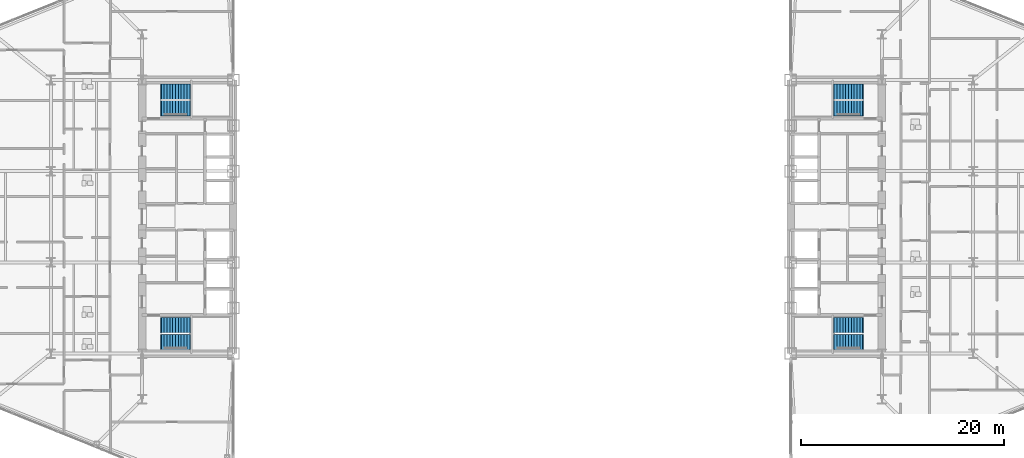
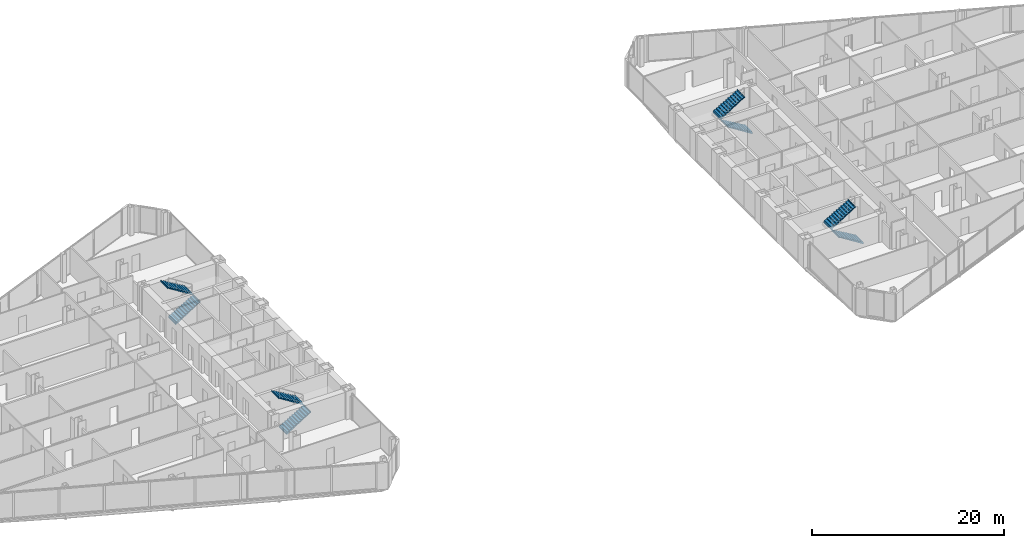
# One storey, part 23 of 25: 8 stair flights, 4 elements without a shape of their own.
"""IFC4 building model written with IfcOpenShell, lengths in metres."""

import ifcopenshell
import ifcopenshell.guid

model = None  # the IFC model being written
_history = None  # IfcOwnerHistory: only IFC2X3 demands one
_inside = {}  # id of a spatial element -> (the spatial element, [elements in it])
_under = {}  # id of a project, library or spatial element -> (it, [spatial elements below it])
_declared = {}  # id of a project -> (the project, [libraries it declares])
_typed = {}  # id of a type object -> (the type object, [elements of that type])
_made_of = {}  # id of a material, layer set ... -> (it, [elements and type objects made of it])


def new_model(schema):
    """Start an empty IFC model of exactly this schema.

    Asked for "IFC4X3", IfcOpenShell would pick the latest addendum, in which some entities
    have other attributes; the version numbers below select the first issue.
    IFC2X3 requires an IfcOwnerHistory on every rooted entity: one is made here for all.
    """
    global model, _history
    if schema == "IFC4X3":
        model = ifcopenshell.file(schema_version=(4, 3, 0, 0))
    else:
        model = ifcopenshell.file(schema=schema)
    _inside.clear()
    _under.clear()
    _declared.clear()
    _typed.clear()
    _made_of.clear()
    _history = None
    if model.schema == "IFC2X3":
        org = make("IfcOrganization", Name="unknown")
        user = make(
            "IfcPersonAndOrganization",
            ThePerson=make("IfcPerson", FamilyName="unknown"),
            TheOrganization=org,
        )
        app = make(
            "IfcApplication",
            ApplicationDeveloper=org,
            Version="unknown",
            ApplicationFullName="unknown",
            ApplicationIdentifier="unknown",
        )
        _history = make(
            "IfcOwnerHistory",
            OwningUser=user,
            OwningApplication=app,
            ChangeAction="ADDED",
            CreationDate=0,
        )
    return model


def make(cls, **values):
    """One entity of the class cls with the attributes given. An attribute that is None is left unset."""
    return model.create_entity(
        cls, **{name: value for name, value in values.items() if value is not None}
    )


def rooted(cls, **values):
    """An entity with a GlobalId (a new one), such as an element, a storey or a relation."""
    return make(cls, GlobalId=ifcopenshell.guid.new(), OwnerHistory=_history, **values)


def si_unit(unit_type, name, prefix=None):
    """IfcSIUnit, for example si_unit("LENGTHUNIT", "METRE", prefix="MILLI")."""
    return make("IfcSIUnit", UnitType=unit_type, Prefix=prefix, Name=name)


def assignment(units):
    """IfcUnitAssignment: the units of a project."""
    return None if units is None else make("IfcUnitAssignment", Units=units)


def point(xyz):
    """IfcCartesianPoint."""
    return None if xyz is None else make("IfcCartesianPoint", Coordinates=xyz)


def direction(xyz):
    """IfcDirection."""
    return None if xyz is None else make("IfcDirection", DirectionRatios=xyz)


def frame(location, z_axis=None, x_axis=None):
    """IfcAxis2Placement3D, a coordinate frame: its origin and axes. An axis left out is left unset."""
    return make(
        "IfcAxis2Placement3D",
        Location=point(location),
        Axis=direction(z_axis),
        RefDirection=direction(x_axis),
    )


def origin():
    """The frame at (0, 0, 0) with its axes left unset."""
    return frame((0.0, 0.0, 0.0))


def place(relative_to, where):
    """IfcLocalPlacement: puts the frame where relative to a parent placement (None: the world)."""
    return make(
        "IfcLocalPlacement", PlacementRelTo=relative_to, RelativePlacement=where
    )


def context(
    kind, dimensions, precision=None, world=None, true_north=None, identifier=None
):
    """IfcGeometricRepresentationContext, for example the 3D "Model" context."""
    return make(
        "IfcGeometricRepresentationContext",
        ContextIdentifier=identifier,
        ContextType=kind,
        CoordinateSpaceDimension=dimensions,
        Precision=precision,
        WorldCoordinateSystem=world,
        TrueNorth=true_north,
    )


def subcontext(parent, identifier, kind, view, scale=None):
    """IfcGeometricRepresentationSubContext, for example "Body" below "Model"."""
    return make(
        "IfcGeometricRepresentationSubContext",
        ContextIdentifier=identifier,
        ContextType=kind,
        ParentContext=parent,
        TargetScale=scale,
        TargetView=view,
    )


def project(units=None, contexts=None):
    """IfcProject with its units and contexts."""
    return rooted(
        "IfcProject",
        Name="project",
        RepresentationContexts=contexts,
        UnitsInContext=assignment(units),
    )


def spatial(cls, under=None, at=None, **own):
    """A site, building, storey or space (cls), placed at a placement, below another one or the project."""
    s = rooted(cls, ObjectPlacement=at, **own)
    if under is not None:
        _under.setdefault(under.id(), (under, []))[1].append(s)
    return s


def polyline(points):
    """IfcPolyline through the points."""
    return make("IfcPolyline", Points=[point(p) for p in points])


def outline(outer, holes=None, kind="AREA"):
    """IfcArbitraryClosedProfileDef: a profile drawn as a closed curve; with holes, ...WithVoids."""
    if holes is None:
        return make("IfcArbitraryClosedProfileDef", ProfileType=kind, OuterCurve=outer)
    return make(
        "IfcArbitraryProfileDefWithVoids",
        ProfileType=kind,
        OuterCurve=outer,
        InnerCurves=holes,
    )


def extrude(swept, where, along, depth):
    """IfcExtrudedAreaSolid: the profile swept, set in the frame where, extruded along a direction by depth."""
    return make(
        "IfcExtrudedAreaSolid",
        SweptArea=swept,
        Position=where,
        ExtrudedDirection=direction(along),
        Depth=depth,
    )


def shape(context_of_items, identifier, shape_type, items):
    """IfcShapeRepresentation: the items that make up one representation, for example the "Body"."""
    return make(
        "IfcShapeRepresentation",
        ContextOfItems=context_of_items,
        RepresentationIdentifier=identifier,
        RepresentationType=shape_type,
        Items=items,
    )


def material(Name=None, Category=None):
    """IfcMaterial."""
    return make("IfcMaterial", Name=Name, Category=Category)


def made_of(thing, what):
    """Note that an element or type object is made of a material, layer set ...; save() writes the relation."""
    if what is not None:
        _made_of.setdefault(what.id(), (what, []))[1].append(thing)
    return thing


def type_object(cls, material=None, **own):
    """A type object (cls), such as IfcWallType, which elements share."""
    return made_of(rooted(cls, **own), material)


def element(
    cls,
    number,
    at=None,
    inside=None,
    cuts=None,
    type_object=None,
    material=None,
    context=None,
    identifier="Body",
    shape_type=None,
    held_by="IfcProductDefinitionShape",
    body=None,
    shapes=None,
    **own,
):
    """One element of the class cls, such as IfcWall. Its Tag is "e" and its number.

    at: its placement. inside: the storey or other place that contains it. cuts: it is an
    opening in that element (IfcRelVoidsElement). A single representation is given by context,
    identifier, shape_type and body (its items); several are given by shapes. held_by: the class
    of the entity that holds the representations. save() writes the other relations.
    """
    e = rooted(cls, Tag="e%d" % number, ObjectPlacement=at, **own)
    if body is not None:
        shapes = [shape(context, identifier, shape_type, body)]
    if shapes is not None:
        e.Representation = make(held_by, Representations=shapes)
    if inside is not None:
        _inside.setdefault(inside.id(), (inside, []))[1].append(e)
    if cuts is not None:
        rooted(
            "IfcRelVoidsElement", RelatingBuildingElement=cuts, RelatedOpeningElement=e
        )
    if type_object is not None:
        _typed.setdefault(type_object.id(), (type_object, []))[1].append(e)
    return made_of(e, material)


def aggregate(whole, parts):
    """IfcRelAggregates: a whole, such as a stair, and the parts it consists of."""
    return rooted("IfcRelAggregates", RelatingObject=whole, RelatedObjects=parts)


def save(model, path):
    """Write the relations noted so far, then the file.

    IfcRelAggregates (storeys below a building ...), IfcRelContainedInSpatialStructure (elements
    in a storey), IfcRelDefinesByType, IfcRelAssociatesMaterial and IfcRelDeclares: one each for
    every whole, place, type object, material and project.
    """
    for whole, parts in _under.values():
        aggregate(whole, parts)
    for where, things in _inside.values():
        rooted(
            "IfcRelContainedInSpatialStructure",
            RelatedElements=things,
            RelatingStructure=where,
        )
    for kind, things in _typed.values():
        rooted("IfcRelDefinesByType", RelatedObjects=things, RelatingType=kind)
    for what, things in _made_of.values():
        rooted("IfcRelAssociatesMaterial", RelatedObjects=things, RelatingMaterial=what)
    for by, libraries in _declared.values():
        rooted("IfcRelDeclares", RelatingContext=by, RelatedDefinitions=libraries)
    model.write(path)


model = new_model("IFC4")

# Units and contexts
model_context = context("Model", 3, precision=1e-05, world=origin(), true_north=direction((0.0, 1.0)))
body_context = subcontext(model_context, "Body", "Model", "MODEL_VIEW")
ifc_project = project(units=[si_unit("LENGTHUNIT", "METRE"), si_unit("AREAUNIT", "SQUARE_METRE"), si_unit("VOLUMEUNIT", "CUBIC_METRE"), si_unit("PLANEANGLEUNIT", "RADIAN"), si_unit("MASSUNIT", "GRAM", prefix="KILO")], contexts=[model_context])

# Site, building, storey
site_placement = place(None, origin())
site = spatial("IfcSite", under=ifc_project, at=site_placement, CompositionType="ELEMENT")
building_placement = place(site_placement, origin())
building = spatial("IfcBuilding", under=site, at=building_placement, Name="Seokmaru Belvedere", CompositionType="ELEMENT")
storey_placement = place(building_placement, frame((0.0, 0.0, 29.699951171875)))
storey = spatial("IfcBuildingStorey", under=building, at=storey_placement, Name="L07", CompositionType="ELEMENT", Elevation=29.699951171875)

# Stair, stair flights
ifc_material = material(Name="Concrete C40 (40 MPa)", Category="concrete")
stair_type = type_object("IfcStairType", Name="Typical Tower Core Dog-Leg Stair 3600", PredefinedType="TWO_STRAIGHT_RUN_STAIR", material=ifc_material)
stair_1_placement = place(storey_placement, origin())
stair_1 = element("IfcStair", 1, at=stair_1_placement, inside=storey, type_object=stair_type, Name="L07 Special Escape Stair ST-W1", PredefinedType="TWO_STRAIGHT_RUN_STAIR")
stair_flight_type = type_object("IfcStairFlightType", Name="Reinforced Concrete Stair Flight 1500", PredefinedType="STRAIGHT", material=ifc_material)
stair_flight_1_placement = place(storey_placement, frame((-34.60009765625, -12.35009765625, 0.0), z_axis=(0.0, 0.0, 1.0), x_axis=(1.0, 0.0, 0.0)))
stair_flight_1 = element("IfcStairFlight", 2, at=stair_flight_1_placement, type_object=stair_flight_type, Name="ST-W1 flight 1", NumberOfRisers=11, NumberOfTreads=10, PredefinedType="STRAIGHT", RiserHeight=0.163636364, TreadLength=0.28, context=body_context, shape_type="SweptSolid", body=[
    extrude(outline(polyline([(-0.080078125, 0.0), (0.0, 0.16357421875), (0.280029296875, 0.16357421875), (0.280029296875, 0.327392578125), (0.56005859375, 0.327392578125), (0.56005859375, 0.490966796875), (0.840087890625, 0.490966796875), (0.840087890625, 0.654541015625), (1.1201171875, 0.654541015625), (1.1201171875, 0.818115234375), (1.39990234375, 0.818115234375), (1.39990234375, 0.98193359375), (1.679931640625, 0.98193359375), (1.679931640625, 1.1455078125), (1.9599609375, 1.1455078125), (1.9599609375, 1.30908203125), (2.239990234375, 1.30908203125), (2.239990234375, 1.47265625), (2.52001953125, 1.47265625), (2.52001953125, 1.636474609375), (2.800048828125, 1.636474609375), (2.800048828125, 1.800048828125), (2.8798828125, 1.800048828125), (2.8798828125, 1.610107421875), (2.800048828125, 1.610107421875), (0.0, -0.159912109375), (-0.080078125, -0.159912109375), (-0.080078125, 0.0)])), frame((0.0, 0.75, 0.0), z_axis=(0.0, -1.0, 0.0), x_axis=(1.0, 0.0, 0.0)), (0.0, 0.0, 1.0), 1.5),
])
stair_flight_2_placement = place(storey_placement, frame((-31.800048828125, -10.7099609375, 1.800048828125), z_axis=(0.0, 0.0, 1.0), x_axis=(-1.0, 0.0, 0.0)))
stair_flight_2 = element("IfcStairFlight", 3, at=stair_flight_2_placement, type_object=stair_flight_type, Name="ST-W1 flight 2", NumberOfRisers=11, NumberOfTreads=10, PredefinedType="STRAIGHT", RiserHeight=0.163636364, TreadLength=0.28, context=body_context, shape_type="SweptSolid", body=[
    extrude(outline(polyline([(-0.080078125, 0.0), (0.0, 0.16357421875), (0.280029296875, 0.16357421875), (0.280029296875, 0.327392578125), (0.56005859375, 0.327392578125), (0.56005859375, 0.490966796875), (0.840087890625, 0.490966796875), (0.840087890625, 0.654541015625), (1.1201171875, 0.654541015625), (1.1201171875, 0.818115234375), (1.39990234375, 0.818115234375), (1.39990234375, 0.98193359375), (1.679931640625, 0.98193359375), (1.679931640625, 1.1455078125), (1.9599609375, 1.1455078125), (1.9599609375, 1.30908203125), (2.239990234375, 1.30908203125), (2.239990234375, 1.47265625), (2.52001953125, 1.47265625), (2.52001953125, 1.636474609375), (2.800048828125, 1.636474609375), (2.800048828125, 1.800048828125), (2.8798828125, 1.800048828125), (2.8798828125, 1.610107421875), (2.800048828125, 1.610107421875), (0.0, -0.159912109375), (-0.080078125, -0.159912109375), (-0.080078125, 0.0)])), frame((0.0, 0.75, 0.0), z_axis=(0.0, -1.0, 0.0), x_axis=(1.0, 0.0, 0.0)), (0.0, 0.0, 1.0), 1.5),
])
aggregate(stair_1, [stair_flight_1, stair_flight_2])

stair_2_placement = place(storey_placement, origin())
stair_2 = element("IfcStair", 4, at=stair_2_placement, inside=storey, type_object=stair_type, Name="L07 Special Escape Stair ST-W2", PredefinedType="TWO_STRAIGHT_RUN_STAIR")
stair_flight_3_placement = place(storey_placement, frame((-34.60009765625, 10.7099609375, 0.0), z_axis=(0.0, 0.0, 1.0), x_axis=(1.0, 0.0, 0.0)))
stair_flight_3 = element("IfcStairFlight", 5, at=stair_flight_3_placement, type_object=stair_flight_type, Name="ST-W2 flight 1", NumberOfRisers=11, NumberOfTreads=10, PredefinedType="STRAIGHT", RiserHeight=0.163636364, TreadLength=0.28, context=body_context, shape_type="SweptSolid", body=[
    extrude(outline(polyline([(-0.080078125, 0.0), (0.0, 0.16357421875), (0.280029296875, 0.16357421875), (0.280029296875, 0.327392578125), (0.56005859375, 0.327392578125), (0.56005859375, 0.490966796875), (0.840087890625, 0.490966796875), (0.840087890625, 0.654541015625), (1.1201171875, 0.654541015625), (1.1201171875, 0.818115234375), (1.39990234375, 0.818115234375), (1.39990234375, 0.98193359375), (1.679931640625, 0.98193359375), (1.679931640625, 1.1455078125), (1.9599609375, 1.1455078125), (1.9599609375, 1.30908203125), (2.239990234375, 1.30908203125), (2.239990234375, 1.47265625), (2.52001953125, 1.47265625), (2.52001953125, 1.636474609375), (2.800048828125, 1.636474609375), (2.800048828125, 1.800048828125), (2.8798828125, 1.800048828125), (2.8798828125, 1.610107421875), (2.800048828125, 1.610107421875), (0.0, -0.159912109375), (-0.080078125, -0.159912109375), (-0.080078125, 0.0)])), frame((0.0, 0.75, 0.0), z_axis=(0.0, -1.0, 0.0), x_axis=(1.0, 0.0, 0.0)), (0.0, 0.0, 1.0), 1.5),
])
stair_flight_4_placement = place(storey_placement, frame((-31.800048828125, 12.35009765625, 1.800048828125), z_axis=(0.0, 0.0, 1.0), x_axis=(-1.0, 0.0, 0.0)))
stair_flight_4 = element("IfcStairFlight", 6, at=stair_flight_4_placement, type_object=stair_flight_type, Name="ST-W2 flight 2", NumberOfRisers=11, NumberOfTreads=10, PredefinedType="STRAIGHT", RiserHeight=0.163636364, TreadLength=0.28, context=body_context, shape_type="SweptSolid", body=[
    extrude(outline(polyline([(-0.080078125, 0.0), (0.0, 0.16357421875), (0.280029296875, 0.16357421875), (0.280029296875, 0.327392578125), (0.56005859375, 0.327392578125), (0.56005859375, 0.490966796875), (0.840087890625, 0.490966796875), (0.840087890625, 0.654541015625), (1.1201171875, 0.654541015625), (1.1201171875, 0.818115234375), (1.39990234375, 0.818115234375), (1.39990234375, 0.98193359375), (1.679931640625, 0.98193359375), (1.679931640625, 1.1455078125), (1.9599609375, 1.1455078125), (1.9599609375, 1.30908203125), (2.239990234375, 1.30908203125), (2.239990234375, 1.47265625), (2.52001953125, 1.47265625), (2.52001953125, 1.636474609375), (2.800048828125, 1.636474609375), (2.800048828125, 1.800048828125), (2.8798828125, 1.800048828125), (2.8798828125, 1.610107421875), (2.800048828125, 1.610107421875), (0.0, -0.159912109375), (-0.080078125, -0.159912109375), (-0.080078125, 0.0)])), frame((0.0, 0.75, 0.0), z_axis=(0.0, -1.0, 0.0), x_axis=(1.0, 0.0, 0.0)), (0.0, 0.0, 1.0), 1.5),
])
aggregate(stair_2, [stair_flight_3, stair_flight_4])

stair_3_placement = place(storey_placement, origin())
stair_3 = element("IfcStair", 7, at=stair_3_placement, inside=storey, type_object=stair_type, Name="L07 Special Escape Stair ST-E1", PredefinedType="TWO_STRAIGHT_RUN_STAIR")
stair_flight_5_placement = place(storey_placement, frame((34.60009765625, -12.35009765625, 0.0), z_axis=(0.0, 0.0, 1.0), x_axis=(-1.0, 0.0, 0.0)))
stair_flight_5 = element("IfcStairFlight", 8, at=stair_flight_5_placement, type_object=stair_flight_type, Name="ST-E1 flight 1", NumberOfRisers=11, NumberOfTreads=10, PredefinedType="STRAIGHT", RiserHeight=0.163636364, TreadLength=0.28, context=body_context, shape_type="SweptSolid", body=[
    extrude(outline(polyline([(-0.080078125, 0.0), (0.0, 0.16357421875), (0.280029296875, 0.16357421875), (0.280029296875, 0.327392578125), (0.56005859375, 0.327392578125), (0.56005859375, 0.490966796875), (0.840087890625, 0.490966796875), (0.840087890625, 0.654541015625), (1.1201171875, 0.654541015625), (1.1201171875, 0.818115234375), (1.39990234375, 0.818115234375), (1.39990234375, 0.98193359375), (1.679931640625, 0.98193359375), (1.679931640625, 1.1455078125), (1.9599609375, 1.1455078125), (1.9599609375, 1.30908203125), (2.239990234375, 1.30908203125), (2.239990234375, 1.47265625), (2.52001953125, 1.47265625), (2.52001953125, 1.636474609375), (2.800048828125, 1.636474609375), (2.800048828125, 1.800048828125), (2.8798828125, 1.800048828125), (2.8798828125, 1.610107421875), (2.800048828125, 1.610107421875), (0.0, -0.159912109375), (-0.080078125, -0.159912109375), (-0.080078125, 0.0)])), frame((0.0, 0.75, 0.0), z_axis=(0.0, -1.0, 0.0), x_axis=(1.0, 0.0, 0.0)), (0.0, 0.0, 1.0), 1.5),
])
stair_flight_6_placement = place(storey_placement, frame((31.800048828125, -10.7099609375, 1.800048828125), z_axis=(0.0, 0.0, 1.0), x_axis=(1.0, 0.0, 0.0)))
stair_flight_6 = element("IfcStairFlight", 9, at=stair_flight_6_placement, type_object=stair_flight_type, Name="ST-E1 flight 2", NumberOfRisers=11, NumberOfTreads=10, PredefinedType="STRAIGHT", RiserHeight=0.163636364, TreadLength=0.28, context=body_context, shape_type="SweptSolid", body=[
    extrude(outline(polyline([(-0.080078125, 0.0), (0.0, 0.16357421875), (0.280029296875, 0.16357421875), (0.280029296875, 0.327392578125), (0.56005859375, 0.327392578125), (0.56005859375, 0.490966796875), (0.840087890625, 0.490966796875), (0.840087890625, 0.654541015625), (1.1201171875, 0.654541015625), (1.1201171875, 0.818115234375), (1.39990234375, 0.818115234375), (1.39990234375, 0.98193359375), (1.679931640625, 0.98193359375), (1.679931640625, 1.1455078125), (1.9599609375, 1.1455078125), (1.9599609375, 1.30908203125), (2.239990234375, 1.30908203125), (2.239990234375, 1.47265625), (2.52001953125, 1.47265625), (2.52001953125, 1.636474609375), (2.800048828125, 1.636474609375), (2.800048828125, 1.800048828125), (2.8798828125, 1.800048828125), (2.8798828125, 1.610107421875), (2.800048828125, 1.610107421875), (0.0, -0.159912109375), (-0.080078125, -0.159912109375), (-0.080078125, 0.0)])), frame((0.0, 0.75, 0.0), z_axis=(0.0, -1.0, 0.0), x_axis=(1.0, 0.0, 0.0)), (0.0, 0.0, 1.0), 1.5),
])
aggregate(stair_3, [stair_flight_5, stair_flight_6])

stair_4_placement = place(storey_placement, origin())
stair_4 = element("IfcStair", 10, at=stair_4_placement, inside=storey, type_object=stair_type, Name="L07 Special Escape Stair ST-E2", PredefinedType="TWO_STRAIGHT_RUN_STAIR")
stair_flight_7_placement = place(storey_placement, frame((34.60009765625, 10.7099609375, 0.0), z_axis=(0.0, 0.0, 1.0), x_axis=(-1.0, 0.0, 0.0)))
stair_flight_7 = element("IfcStairFlight", 11, at=stair_flight_7_placement, type_object=stair_flight_type, Name="ST-E2 flight 1", NumberOfRisers=11, NumberOfTreads=10, PredefinedType="STRAIGHT", RiserHeight=0.163636364, TreadLength=0.28, context=body_context, shape_type="SweptSolid", body=[
    extrude(outline(polyline([(-0.080078125, 0.0), (0.0, 0.16357421875), (0.280029296875, 0.16357421875), (0.280029296875, 0.327392578125), (0.56005859375, 0.327392578125), (0.56005859375, 0.490966796875), (0.840087890625, 0.490966796875), (0.840087890625, 0.654541015625), (1.1201171875, 0.654541015625), (1.1201171875, 0.818115234375), (1.39990234375, 0.818115234375), (1.39990234375, 0.98193359375), (1.679931640625, 0.98193359375), (1.679931640625, 1.1455078125), (1.9599609375, 1.1455078125), (1.9599609375, 1.30908203125), (2.239990234375, 1.30908203125), (2.239990234375, 1.47265625), (2.52001953125, 1.47265625), (2.52001953125, 1.636474609375), (2.800048828125, 1.636474609375), (2.800048828125, 1.800048828125), (2.8798828125, 1.800048828125), (2.8798828125, 1.610107421875), (2.800048828125, 1.610107421875), (0.0, -0.159912109375), (-0.080078125, -0.159912109375), (-0.080078125, 0.0)])), frame((0.0, 0.75, 0.0), z_axis=(0.0, -1.0, 0.0), x_axis=(1.0, 0.0, 0.0)), (0.0, 0.0, 1.0), 1.5),
])
stair_flight_8_placement = place(storey_placement, frame((31.800048828125, 12.35009765625, 1.800048828125), z_axis=(0.0, 0.0, 1.0), x_axis=(1.0, 0.0, 0.0)))
stair_flight_8 = element("IfcStairFlight", 12, at=stair_flight_8_placement, type_object=stair_flight_type, Name="ST-E2 flight 2", NumberOfRisers=11, NumberOfTreads=10, PredefinedType="STRAIGHT", RiserHeight=0.163636364, TreadLength=0.28, context=body_context, shape_type="SweptSolid", body=[
    extrude(outline(polyline([(-0.080078125, 0.0), (0.0, 0.16357421875), (0.280029296875, 0.16357421875), (0.280029296875, 0.327392578125), (0.56005859375, 0.327392578125), (0.56005859375, 0.490966796875), (0.840087890625, 0.490966796875), (0.840087890625, 0.654541015625), (1.1201171875, 0.654541015625), (1.1201171875, 0.818115234375), (1.39990234375, 0.818115234375), (1.39990234375, 0.98193359375), (1.679931640625, 0.98193359375), (1.679931640625, 1.1455078125), (1.9599609375, 1.1455078125), (1.9599609375, 1.30908203125), (2.239990234375, 1.30908203125), (2.239990234375, 1.47265625), (2.52001953125, 1.47265625), (2.52001953125, 1.636474609375), (2.800048828125, 1.636474609375), (2.800048828125, 1.800048828125), (2.8798828125, 1.800048828125), (2.8798828125, 1.610107421875), (2.800048828125, 1.610107421875), (0.0, -0.159912109375), (-0.080078125, -0.159912109375), (-0.080078125, 0.0)])), frame((0.0, 0.75, 0.0), z_axis=(0.0, -1.0, 0.0), x_axis=(1.0, 0.0, 0.0)), (0.0, 0.0, 1.0), 1.5),
])
aggregate(stair_4, [stair_flight_7, stair_flight_8])

save(model, "model.ifc")
